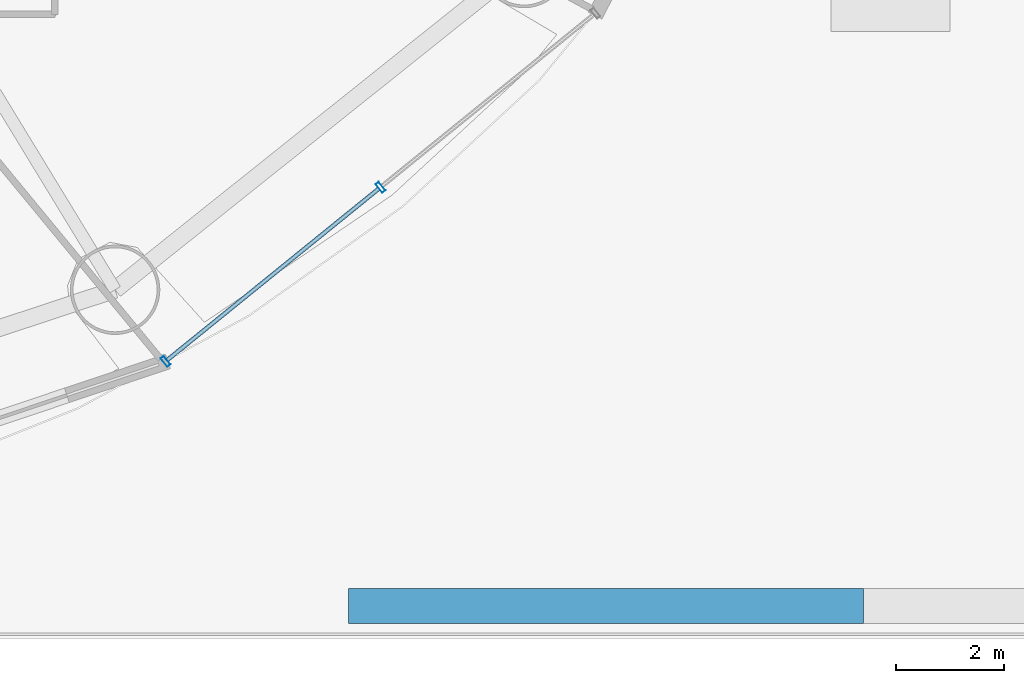
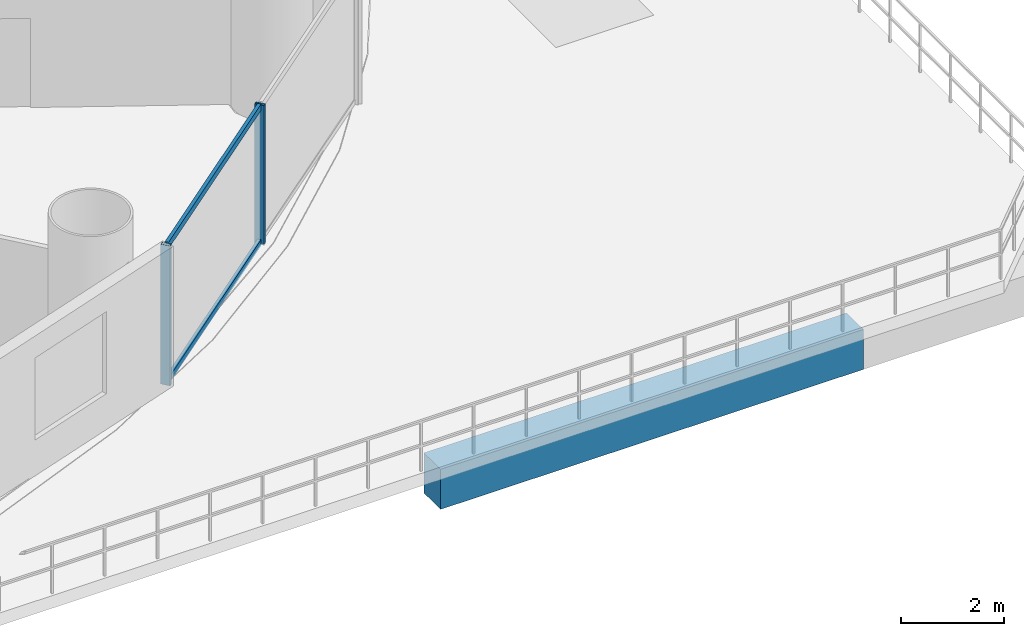
# One storey, part 13 of 37: 4 members, 1 beam, 1 element without a shape of its own.
"""IFC4 building model written with IfcOpenShell, lengths in metres."""

from ifc_helpers import new_model, si_unit, direction, frame, origin, origin_2d, place, context, subcontext, project, spatial, rectangle, hollow_rectangle, extrude, source, transform, mapped, material, material_profile, profile_set, type_object, element, aggregate, save


model = new_model("IFC4")

# Units and contexts
model_context = context("Model", 3, precision=1e-05, world=origin(), true_north=direction((-0.2419218956, 0.970295726276)))
body_context = subcontext(model_context, "Body", "Model", "MODEL_VIEW")
ifc_project = project(units=[si_unit("LENGTHUNIT", "METRE"), si_unit("AREAUNIT", "SQUARE_METRE"), si_unit("VOLUMEUNIT", "CUBIC_METRE"), si_unit("PLANEANGLEUNIT", "RADIAN"), si_unit("MASSUNIT", "GRAM", prefix="KILO")], contexts=[model_context])

# Site, building, storey
site_placement = place(None, origin())
site = spatial("IfcSite", under=ifc_project, at=site_placement, CompositionType="ELEMENT")
building_placement = place(site_placement, origin())
building = spatial("IfcBuilding", under=site, at=building_placement, Name="Cobrevalo Terracotta Tower", CompositionType="ELEMENT")
storey_placement = place(building_placement, frame((0.0, 0.0, 24.0)))
storey = spatial("IfcBuildingStorey", under=building, at=storey_placement, Name="L05", CompositionType="ELEMENT", Elevation=24.0)

# Beam
ifc_material_1 = material(Name="Concrete C50", Category="concrete")
ifc_material_profile_1 = material_profile(ifc_material_1, rectangle(XDim=0.64990234375, YDim=0.949951171875, at=origin_2d()), Name="RC BM 650x950")
ifc_profile_set_1 = profile_set([ifc_material_profile_1], Name="Concrete C50")
beam_type = type_object("IfcBeamType", Name="Structural Spandrel RC BM 650x950 (Concrete C50)", PredefinedType="SPANDREL", material=ifc_profile_set_1)
beam_placement = place(storey_placement, frame((57.5, 2.800048828125, -0.7548828125), z_axis=(1.0, 0.0, 0.0), x_axis=(0.0, 1.0, 0.0)))
element("IfcBeam", 1, at=beam_placement, inside=storey, type_object=beam_type, Name="L05 podium grid beam G7-GA to G8-GA", PredefinedType="SPANDREL", context=body_context, shape_type="SweptSolid", body=[
    extrude(rectangle(XDim=0.64990234375, YDim=0.949951171875, at=origin_2d()), origin(), (0.0, 0.0, 1.0), 9.5),
])

# Curtain wall, members
ifc_material_2 = material(Name="Anodized aluminium", Category="aluminium")
curtain_wall_type = type_object("IfcCurtainWallType", Name="Lower-tower unitised acoustic low-E curtain wall CW-U1", PredefinedType="NOTDEFINED", material=ifc_material_2)
curtain_wall_placement = place(storey_placement, origin())
curtain_wall = element("IfcCurtainWall", 2, at=curtain_wall_placement, inside=storey, type_object=curtain_wall_type, Name="L05 curtain wall CW-L05-S14", PredefinedType="NOTDEFINED")
ifc_material_profile_2 = material_profile(ifc_material_2, hollow_rectangle(XDim=0.074951171875, YDim=0.199951171875, WallThickness=0.0048828125, at=origin_2d()), Name="CWM 75x200")
ifc_profile_set_2 = profile_set([ifc_material_profile_2], Name="Anodized aluminium")
member_type_1 = type_object("IfcMemberType", Name="Lower/mid tower unitised mullion 75x200", PredefinedType="MULLION", material=ifc_profile_set_2)
shared_shape_1 = source(origin(), body_context, "Body", "SweptSolid", [
    extrude(hollow_rectangle(XDim=0.074951171875, YDim=0.199951171875, WallThickness=0.0048828125, at=origin_2d()), origin(), (0.0, 0.0, 1.0), 3.320068359375),
])
member_1_placement = place(storey_placement, frame((54.1259765625, 7.310546875, 0.0), z_axis=(0.0, 0.0, 1.0), x_axis=(0.777003153187, 0.629496703675, 0.0)))
member_1 = element("IfcMember", 3, at=member_1_placement, type_object=member_type_1, Name="CW-L05-S14 vertical mullion 01", PredefinedType="MULLION", context=body_context, shape_type="MappedRepresentation", body=[
    mapped(shared_shape_1, transform((0.0, 0.0, 0.0), scale=1.0)),
])
member_2_placement = place(storey_placement, frame((58.09130859375, 10.523193359375, 0.0), z_axis=(0.0, 0.0, 1.0), x_axis=(0.777003153187, 0.629496703675, 0.0)))
member_2 = element("IfcMember", 4, at=member_2_placement, type_object=member_type_1, Name="CW-L05-S14 vertical mullion 02", PredefinedType="MULLION", context=body_context, shape_type="MappedRepresentation", body=[
    mapped(shared_shape_1, transform((0.0, 0.0, 0.0), scale=1.0)),
])
ifc_material_profile_3 = material_profile(ifc_material_2, hollow_rectangle(XDim=0.074951171875, YDim=0.14990234375, WallThickness=0.00439453125, at=origin_2d()), Name="CWT 75x150")
ifc_profile_set_3 = profile_set([ifc_material_profile_3], Name="Anodized aluminium")
member_type_2 = type_object("IfcMemberType", Name="Tower unitised aluminium transom 75x150", PredefinedType="USERDEFINED", material=ifc_profile_set_3)
shared_shape_2 = source(origin(), body_context, "Body", "SweptSolid", [
    extrude(hollow_rectangle(XDim=0.074951171875, YDim=0.14990234375, WallThickness=0.00439453125, at=origin_2d()), origin(), (0.0, 0.0, 1.0), 5.0234375),
])
member_3_placement = place(storey_placement, frame((54.156982421875, 7.335693359375, 0.050048828125), z_axis=(0.777022991593, 0.629472215857, 0.0), x_axis=(-0.629472215857, 0.777022991593, 0.0)))
member_3 = element("IfcMember", 5, at=member_3_placement, type_object=member_type_2, Name="CW-L05-S14 transom B01-T1", ObjectType="TRANSOM", PredefinedType="USERDEFINED", context=body_context, shape_type="MappedRepresentation", body=[
    mapped(shared_shape_2, transform((0.0, 0.0, 0.0), scale=1.0)),
])
member_4_placement = place(storey_placement, frame((54.156982421875, 7.335693359375, 3.27001953125), z_axis=(0.777022991593, 0.629472215857, 0.0), x_axis=(-0.629472215857, 0.777022991593, 0.0)))
member_4 = element("IfcMember", 6, at=member_4_placement, type_object=member_type_2, Name="CW-L05-S14 transom B01-T2", ObjectType="TRANSOM", PredefinedType="USERDEFINED", context=body_context, shape_type="MappedRepresentation", body=[
    mapped(shared_shape_2, transform((0.0, 0.0, 0.0), scale=1.0)),
])
aggregate(curtain_wall, [member_1, member_2, member_3, member_4])

save(model, "model.ifc")
